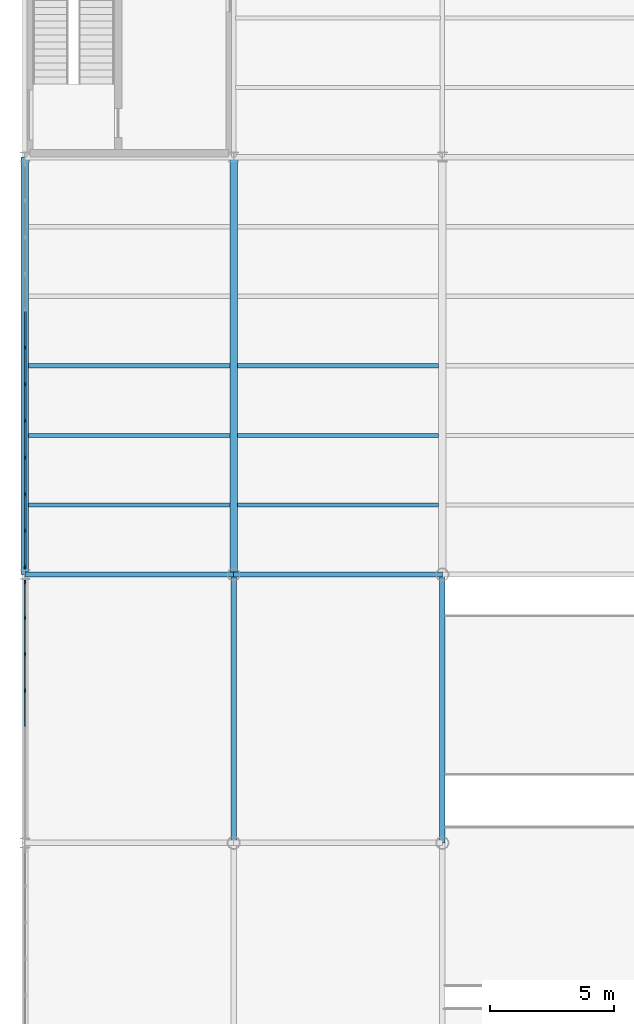
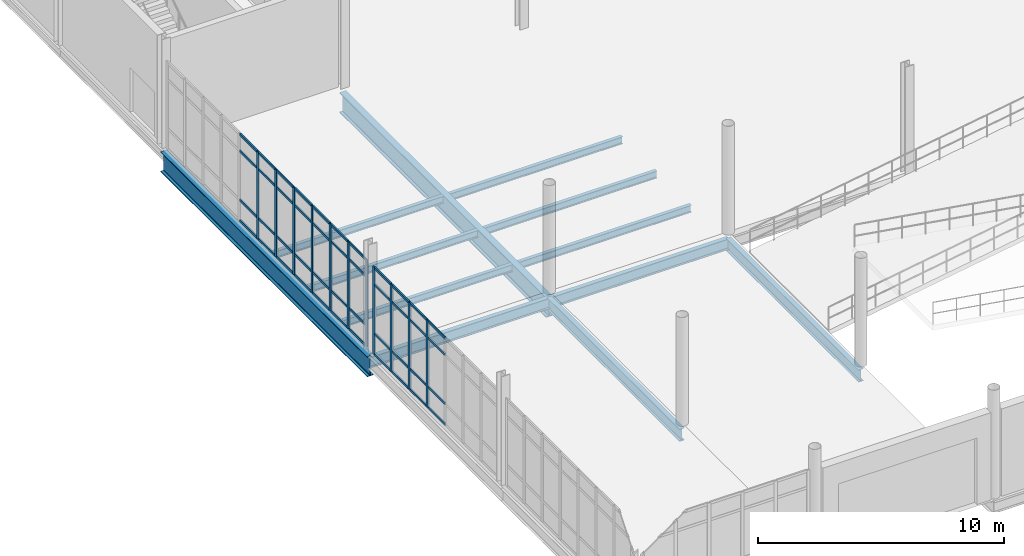
# One storey, part 23 of 111: 55 members, 12 beams, 2 elements without a shape of their own.
"""IFC4 building model written with IfcOpenShell, lengths in metres."""

from ifc_helpers import new_model, si_unit, direction, frame, origin, origin_2d, place, context, subcontext, project, spatial, rectangle, i_section, extrude, material, layer, layer_set, material_profile, profile_set, type_object, element, aggregate, save


model = new_model("IFC4")

# Units and contexts
model_context = context("Model", 3, precision=1e-05, world=origin(), true_north=direction((0.0, 1.0)))
body_context = subcontext(model_context, "Body", "Model", "MODEL_VIEW")
ifc_project = project(units=[si_unit("LENGTHUNIT", "METRE"), si_unit("AREAUNIT", "SQUARE_METRE"), si_unit("VOLUMEUNIT", "CUBIC_METRE"), si_unit("PLANEANGLEUNIT", "RADIAN"), si_unit("MASSUNIT", "GRAM", prefix="KILO"), si_unit("THERMODYNAMICTEMPERATUREUNIT", "KELVIN"), si_unit("POWERUNIT", "WATT")], contexts=[model_context])

# Site, building, storey
site_placement = place(None, origin())
site = spatial("IfcSite", under=ifc_project, at=site_placement, CompositionType="ELEMENT")
building_placement = place(site_placement, origin())
building = spatial("IfcBuilding", under=site, at=building_placement, Name="Tembeka Court Mobility Hub", CompositionType="ELEMENT")
storey_placement = place(building_placement, origin())
storey = spatial("IfcBuildingStorey", under=building, at=storey_placement, Name="L00", CompositionType="ELEMENT", Elevation=0.0)

# Beams
ifc_material_1 = material(Name="Steel S355", Category="steel")
ifc_material_profile_1 = material_profile(ifc_material_1, i_section(OverallWidth=0.22900390625, OverallDepth=0.612060546875, WebThickness=0.011962890625, FlangeThickness=0.01953125, FilletRadius=0.0126953125, at=origin_2d()), Name="UKB 610x229x125")
ifc_profile_set_1 = profile_set([ifc_material_profile_1], Name="Steel S355")
beam_type_1 = type_object("IfcBeamType", Name="BM-G02", PredefinedType="USERDEFINED", material=ifc_profile_set_1)
for number, where, z_axis, x_axis, name in (
    (1, (8.39990234375, 10.800048828125, -0.5859375), (0.0, 1.0, 0.0), (-1.0, 0.0, 0.0), "Beam G02 (BM-L00-Y0176)"),
    (2, (16.800048828125, 10.800048828125, -0.5859375), (0.0, 1.0, 0.0), (-1.0, 0.0, 0.0), "Beam G02 (BM-L00-Y0187)"),
):
    element("IfcBeam", number, at=place(storey_placement, frame(where, z_axis=z_axis, x_axis=x_axis)), inside=storey, type_object=beam_type_1, Name=name, ObjectType="GIRDER", PredefinedType="USERDEFINED", context=body_context, shape_type="SweptSolid", body=[
        extrude(i_section(OverallWidth=0.22900390625, OverallDepth=0.612060546875, WebThickness=0.011962890625, FlangeThickness=0.01953125, FilletRadius=0.0126953125, at=origin_2d()), origin(), (0.0, 0.0, 1.0), 10.800048828125),
    ])
ifc_material_profile_2 = material_profile(ifc_material_1, i_section(OverallWidth=0.2099609375, OverallDepth=0.537109375, WebThickness=0.0107421875, FlangeThickness=0.017333984375, FilletRadius=0.0126953125, at=origin_2d()), Name="UKB 533x210x101")
ifc_profile_set_2 = profile_set([ifc_material_profile_2], Name="Steel S355")
beam_type_2 = type_object("IfcBeamType", Name="BM-G03", PredefinedType="USERDEFINED", material=ifc_profile_set_2)
beam_1_placement = place(storey_placement, frame((0.0, 21.60009765625, -0.548583984375), z_axis=(1.0, 0.0, 0.0), x_axis=(0.0, 1.0, 0.0)))
element("IfcBeam", 3, at=beam_1_placement, inside=storey, type_object=beam_type_2, Name="Beam G03 (BM-L00-X0024)", ObjectType="GIRDER", PredefinedType="USERDEFINED", context=body_context, shape_type="SweptSolid", body=[
    extrude(i_section(OverallWidth=0.2099609375, OverallDepth=0.537109375, WebThickness=0.0107421875, FlangeThickness=0.017333984375, FilletRadius=0.0126953125, at=origin_2d()), origin(), (0.0, 0.0, 1.0), 8.39990234375),
])
beam_2_placement = place(storey_placement, frame((8.39990234375, 21.60009765625, -0.548583984375), z_axis=(1.0, 0.0, 0.0), x_axis=(0.0, 1.0, 0.0)))
element("IfcBeam", 4, at=beam_2_placement, inside=storey, type_object=beam_type_2, Name="Beam G03 (BM-L00-X0025)", ObjectType="GIRDER", PredefinedType="USERDEFINED", context=body_context, shape_type="SweptSolid", body=[
    extrude(i_section(OverallWidth=0.2099609375, OverallDepth=0.537109375, WebThickness=0.0107421875, FlangeThickness=0.017333984375, FilletRadius=0.0126953125, at=origin_2d()), origin(), (0.0, 0.0, 1.0), 8.400146484375),
])
ifc_material_profile_3 = material_profile(ifc_material_1, i_section(OverallWidth=0.172119140625, OverallDepth=0.35498046875, WebThickness=0.00732421875, FlangeThickness=0.011474609375, FilletRadius=0.01025390625, at=origin_2d()), Name="UKB 356x171x51")
ifc_profile_set_3 = profile_set([ifc_material_profile_3], Name="Steel S355")
beam_type_3 = type_object("IfcBeamType", Name="BM-J01", PredefinedType="JOIST", material=ifc_profile_set_3)
for number, where, z_axis, x_axis, name in (
    (5, (0.14501953125, 24.39990234375, -0.45751953125), (1.0, 0.0, 0.0), (0.0, 1.0, 0.0), "Beam J01 (JST-L00-0326)"),
    (6, (0.14501953125, 27.199951171875, -0.45751953125), (1.0, 0.0, 0.0), (0.0, 1.0, 0.0), "Beam J01 (JST-L00-0327)"),
    (7, (0.14501953125, 30.0, -0.45751953125), (1.0, 0.0, 0.0), (0.0, 1.0, 0.0), "Beam J01 (JST-L00-0328)"),
):
    element("IfcBeam", number, at=place(storey_placement, frame(where, z_axis=z_axis, x_axis=x_axis)), inside=storey, type_object=beam_type_3, Name=name, PredefinedType="JOIST", context=body_context, shape_type="SweptSolid", body=[
        extrude(i_section(OverallWidth=0.172119140625, OverallDepth=0.35498046875, WebThickness=0.00732421875, FlangeThickness=0.011474609375, FilletRadius=0.01025390625, at=origin_2d()), origin(), (0.0, 0.0, 1.0), 8.10986328125),
    ])
for number, where, z_axis, x_axis, name in (
    (8, (8.544921875, 24.39990234375, -0.45751953125), (1.0, 0.0, 0.0), (0.0, 1.0, 0.0), "Beam J01 (JST-L00-0338)"),
    (9, (8.544921875, 27.199951171875, -0.45751953125), (1.0, 0.0, 0.0), (0.0, 1.0, 0.0), "Beam J01 (JST-L00-0339)"),
    (10, (8.544921875, 30.0, -0.45751953125), (1.0, 0.0, 0.0), (0.0, 1.0, 0.0), "Beam J01 (JST-L00-0340)"),
):
    element("IfcBeam", number, at=place(storey_placement, frame(where, z_axis=z_axis, x_axis=x_axis)), inside=storey, type_object=beam_type_3, Name=name, PredefinedType="JOIST", context=body_context, shape_type="SweptSolid", body=[
        extrude(i_section(OverallWidth=0.172119140625, OverallDepth=0.35498046875, WebThickness=0.00732421875, FlangeThickness=0.011474609375, FilletRadius=0.01025390625, at=origin_2d()), origin(), (0.0, 0.0, 1.0), 8.110107421875),
    ])
ifc_material_profile_4 = material_profile(ifc_material_1, i_section(OverallWidth=0.300048828125, OverallDepth=1.0, WebThickness=0.01904296875, FlangeThickness=0.035888671875, FilletRadius=0.030029296875, at=origin_2d()), Name="HEB 1000")
ifc_profile_set_4 = profile_set([ifc_material_profile_4], Name="Steel S355")
beam_type_4 = type_object("IfcBeamType", Name="BM-TG01", PredefinedType="USERDEFINED", material=ifc_profile_set_4)
for number, where, z_axis, x_axis, name in (
    (11, (0.0, 21.60009765625, -0.780029296875), (0.0, 1.0, 0.0), (-1.0, 0.0, 0.0), "Beam TG01 (BM-L00-Y0166)"),
    (12, (8.39990234375, 21.60009765625, -0.780029296875), (0.0, 1.0, 0.0), (-1.0, 0.0, 0.0), "Beam TG01 (BM-L00-Y0177)"),
):
    element("IfcBeam", number, at=place(storey_placement, frame(where, z_axis=z_axis, x_axis=x_axis)), inside=storey, type_object=beam_type_4, Name=name, ObjectType="GIRDER", PredefinedType="USERDEFINED", context=body_context, shape_type="SweptSolid", body=[
        extrude(i_section(OverallWidth=0.300048828125, OverallDepth=1.0, WebThickness=0.01904296875, FlangeThickness=0.035888671875, FilletRadius=0.030029296875, at=origin_2d()), origin(), (0.0, 0.0, 1.0), 16.7998046875),
    ])

# Curtain wall, members
ifc_material_2 = material(Name="Anodised aluminium 6063-T6", Category="aluminium")
ifc_layer_1 = layer(ifc_material_2, 0.159912109375)
ifc_layer_set_1 = layer_set([ifc_layer_1], Name="Anodised aluminium 6063-T6")
curtain_wall_type_1 = type_object("IfcCurtainWallType", Name="CW-SYS18", PredefinedType="USERDEFINED", material=ifc_layer_set_1)
curtain_wall_1_placement = place(storey_placement, origin())
curtain_wall_1 = element("IfcCurtainWall", 13, at=curtain_wall_1_placement, inside=storey, type_object=curtain_wall_type_1, Name="Unitised curtain wall CW18 (CW-L00-024)", ObjectType="UNITISED GLAZING", PredefinedType="USERDEFINED")
ifc_material_profile_5 = material_profile(ifc_material_2, rectangle(XDim=0.06494140625, YDim=0.159912109375, at=origin_2d()), Name="ALU-MUL 65x160")
ifc_profile_set_5 = profile_set([ifc_material_profile_5], Name="Anodised aluminium 6063-T6")
member_type_1 = type_object("IfcMemberType", Name="CW-MUL01", PredefinedType="MULLION", material=ifc_profile_set_5)
member_1_placement = place(storey_placement, frame((0.0, 16.931396484375, 0.0), z_axis=(0.0, 0.0, 1.0), x_axis=(-1.0, 0.0, 0.0)))
member_1 = element("IfcMember", 14, at=member_1_placement, type_object=member_type_1, Name="CW18 mullion 5", PredefinedType="MULLION", context=body_context, shape_type="SweptSolid", body=[
    extrude(rectangle(XDim=0.06494140625, YDim=0.159912109375, at=origin_2d()), origin(), (0.0, 0.0, 1.0), 4.3349609375),
])
member_2_placement = place(storey_placement, frame((0.0, 18.394287109375, 0.0), z_axis=(0.0, 0.0, 1.0), x_axis=(-1.0, 0.0, 0.0)))
member_2 = element("IfcMember", 15, at=member_2_placement, type_object=member_type_1, Name="CW18 mullion 6", PredefinedType="MULLION", context=body_context, shape_type="SweptSolid", body=[
    extrude(rectangle(XDim=0.06494140625, YDim=0.159912109375, at=origin_2d()), origin(), (0.0, 0.0, 1.0), 4.3349609375),
])
member_3_placement = place(storey_placement, frame((0.0, 19.857177734375, 0.0), z_axis=(0.0, 0.0, 1.0), x_axis=(-1.0, 0.0, 0.0)))
member_3 = element("IfcMember", 16, at=member_3_placement, type_object=member_type_1, Name="CW18 mullion 7", PredefinedType="MULLION", context=body_context, shape_type="SweptSolid", body=[
    extrude(rectangle(XDim=0.06494140625, YDim=0.159912109375, at=origin_2d()), origin(), (0.0, 0.0, 1.0), 4.3349609375),
])
member_4_placement = place(storey_placement, frame((0.0, 21.28759765625, 0.0), z_axis=(0.0, 0.0, 1.0), x_axis=(-1.0, 0.0, 0.0)))
member_4 = element("IfcMember", 17, at=member_4_placement, type_object=member_type_1, Name="CW18 mullion 8", PredefinedType="MULLION", context=body_context, shape_type="SweptSolid", body=[
    extrude(rectangle(XDim=0.06494140625, YDim=0.159912109375, at=origin_2d()), origin(), (0.0, 0.0, 1.0), 4.3349609375),
])

ifc_layer_2 = layer(ifc_material_2, 0.159912109375)
ifc_layer_set_2 = layer_set([ifc_layer_2], Name="Anodised aluminium 6063-T6")
curtain_wall_type_2 = type_object("IfcCurtainWallType", Name="CW-SYS19", PredefinedType="USERDEFINED", material=ifc_layer_set_2)
curtain_wall_2_placement = place(storey_placement, origin())
curtain_wall_2 = element("IfcCurtainWall", 18, at=curtain_wall_2_placement, inside=storey, type_object=curtain_wall_type_2, Name="Unitised curtain wall CW19 (CW-L00-026)", ObjectType="UNITISED GLAZING", PredefinedType="USERDEFINED")
member_5_placement = place(storey_placement, frame((0.0, 21.91259765625, 0.0), z_axis=(0.0, 0.0, 1.0), x_axis=(-1.0, 0.0, 0.0)))
member_5 = element("IfcMember", 19, at=member_5_placement, type_object=member_type_1, Name="CW19 mullion 1", PredefinedType="MULLION", context=body_context, shape_type="SweptSolid", body=[
    extrude(rectangle(XDim=0.06494140625, YDim=0.159912109375, at=origin_2d()), origin(), (0.0, 0.0, 1.0), 4.3349609375),
])
member_6_placement = place(storey_placement, frame((0.0, 23.3564453125, 0.0), z_axis=(0.0, 0.0, 1.0), x_axis=(-1.0, 0.0, 0.0)))
member_6 = element("IfcMember", 20, at=member_6_placement, type_object=member_type_1, Name="CW19 mullion 2", PredefinedType="MULLION", context=body_context, shape_type="SweptSolid", body=[
    extrude(rectangle(XDim=0.06494140625, YDim=0.159912109375, at=origin_2d()), origin(), (0.0, 0.0, 1.0), 4.3349609375),
])
member_7_placement = place(storey_placement, frame((0.0, 24.832763671875, 0.0), z_axis=(0.0, 0.0, 1.0), x_axis=(-1.0, 0.0, 0.0)))
member_7 = element("IfcMember", 21, at=member_7_placement, type_object=member_type_1, Name="CW19 mullion 3", PredefinedType="MULLION", context=body_context, shape_type="SweptSolid", body=[
    extrude(rectangle(XDim=0.06494140625, YDim=0.159912109375, at=origin_2d()), origin(), (0.0, 0.0, 1.0), 4.3349609375),
])
member_8_placement = place(storey_placement, frame((0.0, 26.30908203125, 0.0), z_axis=(0.0, 0.0, 1.0), x_axis=(-1.0, 0.0, 0.0)))
member_8 = element("IfcMember", 22, at=member_8_placement, type_object=member_type_1, Name="CW19 mullion 4", PredefinedType="MULLION", context=body_context, shape_type="SweptSolid", body=[
    extrude(rectangle(XDim=0.06494140625, YDim=0.159912109375, at=origin_2d()), origin(), (0.0, 0.0, 1.0), 4.3349609375),
])
member_9_placement = place(storey_placement, frame((0.0, 27.785400390625, 0.0), z_axis=(0.0, 0.0, 1.0), x_axis=(-1.0, 0.0, 0.0)))
member_9 = element("IfcMember", 23, at=member_9_placement, type_object=member_type_1, Name="CW19 mullion 5", PredefinedType="MULLION", context=body_context, shape_type="SweptSolid", body=[
    extrude(rectangle(XDim=0.06494140625, YDim=0.159912109375, at=origin_2d()), origin(), (0.0, 0.0, 1.0), 4.3349609375),
])
member_10_placement = place(storey_placement, frame((0.0, 29.26171875, 0.0), z_axis=(0.0, 0.0, 1.0), x_axis=(-1.0, 0.0, 0.0)))
member_10 = element("IfcMember", 24, at=member_10_placement, type_object=member_type_1, Name="CW19 mullion 6", PredefinedType="MULLION", context=body_context, shape_type="SweptSolid", body=[
    extrude(rectangle(XDim=0.06494140625, YDim=0.159912109375, at=origin_2d()), origin(), (0.0, 0.0, 1.0), 4.3349609375),
])
member_11_placement = place(storey_placement, frame((0.0, 30.73828125, 0.0), z_axis=(0.0, 0.0, 1.0), x_axis=(-1.0, 0.0, 0.0)))
member_11 = element("IfcMember", 25, at=member_11_placement, type_object=member_type_1, Name="CW19 mullion 7", PredefinedType="MULLION", context=body_context, shape_type="SweptSolid", body=[
    extrude(rectangle(XDim=0.06494140625, YDim=0.159912109375, at=origin_2d()), origin(), (0.0, 0.0, 1.0), 4.3349609375),
])

# Member
ifc_material_profile_6 = material_profile(ifc_material_2, rectangle(XDim=0.06494140625, YDim=0.1201171875, at=origin_2d()), Name="ALU-TRN 65x120")
ifc_profile_set_6 = profile_set([ifc_material_profile_6], Name="Anodised aluminium 6063-T6")
member_type_2 = type_object("IfcMemberType", Name="CW-TRN01", PredefinedType="USERDEFINED", material=ifc_profile_set_6)
member_12_placement = place(storey_placement, frame((0.0, 15.5009765625, 0.032470703125), z_axis=(0.0, 1.0, 0.0), x_axis=(-1.0, 0.0, 0.0)))
member_12 = element("IfcMember", 26, at=member_12_placement, type_object=member_type_2, Name="CW18 transom 4.1", ObjectType="TRANSOM", PredefinedType="USERDEFINED", context=body_context, shape_type="SweptSolid", body=[
    extrude(rectangle(XDim=0.06494140625, YDim=0.1201171875, at=origin_2d()), origin(), (0.0, 0.0, 1.0), 1.39794921875),
])

member_13_placement = place(storey_placement, frame((0.0, 15.5009765625, 1.050048828125), z_axis=(0.0, 1.0, 0.0), x_axis=(-1.0, 0.0, 0.0)))
member_13 = element("IfcMember", 27, at=member_13_placement, type_object=member_type_2, Name="CW18 transom 4.2", ObjectType="TRANSOM", PredefinedType="USERDEFINED", context=body_context, shape_type="SweptSolid", body=[
    extrude(rectangle(XDim=0.06494140625, YDim=0.1201171875, at=origin_2d()), origin(), (0.0, 0.0, 1.0), 1.39794921875),
])

member_14_placement = place(storey_placement, frame((0.0, 15.5009765625, 3.485107421875), z_axis=(0.0, 1.0, 0.0), x_axis=(-1.0, 0.0, 0.0)))
member_14 = element("IfcMember", 28, at=member_14_placement, type_object=member_type_2, Name="CW18 transom 4.3", ObjectType="TRANSOM", PredefinedType="USERDEFINED", context=body_context, shape_type="SweptSolid", body=[
    extrude(rectangle(XDim=0.06494140625, YDim=0.1201171875, at=origin_2d()), origin(), (0.0, 0.0, 1.0), 1.39794921875),
])

member_15_placement = place(storey_placement, frame((0.0, 15.5009765625, 4.302490234375), z_axis=(0.0, 1.0, 0.0), x_axis=(-1.0, 0.0, 0.0)))
member_15 = element("IfcMember", 29, at=member_15_placement, type_object=member_type_2, Name="CW18 transom 4.4", ObjectType="TRANSOM", PredefinedType="USERDEFINED", context=body_context, shape_type="SweptSolid", body=[
    extrude(rectangle(XDim=0.06494140625, YDim=0.1201171875, at=origin_2d()), origin(), (0.0, 0.0, 1.0), 1.39794921875),
])

member_16_placement = place(storey_placement, frame((0.0, 16.9638671875, 0.032470703125), z_axis=(0.0, 1.0, 0.0), x_axis=(-1.0, 0.0, 0.0)))
member_16 = element("IfcMember", 30, at=member_16_placement, type_object=member_type_2, Name="CW18 transom 5.1", ObjectType="TRANSOM", PredefinedType="USERDEFINED", context=body_context, shape_type="SweptSolid", body=[
    extrude(rectangle(XDim=0.06494140625, YDim=0.1201171875, at=origin_2d()), origin(), (0.0, 0.0, 1.0), 1.39794921875),
])

member_17_placement = place(storey_placement, frame((0.0, 16.9638671875, 1.050048828125), z_axis=(0.0, 1.0, 0.0), x_axis=(-1.0, 0.0, 0.0)))
member_17 = element("IfcMember", 31, at=member_17_placement, type_object=member_type_2, Name="CW18 transom 5.2", ObjectType="TRANSOM", PredefinedType="USERDEFINED", context=body_context, shape_type="SweptSolid", body=[
    extrude(rectangle(XDim=0.06494140625, YDim=0.1201171875, at=origin_2d()), origin(), (0.0, 0.0, 1.0), 1.39794921875),
])

member_18_placement = place(storey_placement, frame((0.0, 16.9638671875, 3.485107421875), z_axis=(0.0, 1.0, 0.0), x_axis=(-1.0, 0.0, 0.0)))
member_18 = element("IfcMember", 32, at=member_18_placement, type_object=member_type_2, Name="CW18 transom 5.3", ObjectType="TRANSOM", PredefinedType="USERDEFINED", context=body_context, shape_type="SweptSolid", body=[
    extrude(rectangle(XDim=0.06494140625, YDim=0.1201171875, at=origin_2d()), origin(), (0.0, 0.0, 1.0), 1.39794921875),
])

member_19_placement = place(storey_placement, frame((0.0, 16.9638671875, 4.302490234375), z_axis=(0.0, 1.0, 0.0), x_axis=(-1.0, 0.0, 0.0)))
member_19 = element("IfcMember", 33, at=member_19_placement, type_object=member_type_2, Name="CW18 transom 5.4", ObjectType="TRANSOM", PredefinedType="USERDEFINED", context=body_context, shape_type="SweptSolid", body=[
    extrude(rectangle(XDim=0.06494140625, YDim=0.1201171875, at=origin_2d()), origin(), (0.0, 0.0, 1.0), 1.39794921875),
])

member_20_placement = place(storey_placement, frame((0.0, 18.4267578125, 0.032470703125), z_axis=(0.0, 1.0, 0.0), x_axis=(-1.0, 0.0, 0.0)))
member_20 = element("IfcMember", 34, at=member_20_placement, type_object=member_type_2, Name="CW18 transom 6.1", ObjectType="TRANSOM", PredefinedType="USERDEFINED", context=body_context, shape_type="SweptSolid", body=[
    extrude(rectangle(XDim=0.06494140625, YDim=0.1201171875, at=origin_2d()), origin(), (0.0, 0.0, 1.0), 1.39794921875),
])

member_21_placement = place(storey_placement, frame((0.0, 18.4267578125, 1.050048828125), z_axis=(0.0, 1.0, 0.0), x_axis=(-1.0, 0.0, 0.0)))
member_21 = element("IfcMember", 35, at=member_21_placement, type_object=member_type_2, Name="CW18 transom 6.2", ObjectType="TRANSOM", PredefinedType="USERDEFINED", context=body_context, shape_type="SweptSolid", body=[
    extrude(rectangle(XDim=0.06494140625, YDim=0.1201171875, at=origin_2d()), origin(), (0.0, 0.0, 1.0), 1.39794921875),
])

member_22_placement = place(storey_placement, frame((0.0, 18.4267578125, 3.485107421875), z_axis=(0.0, 1.0, 0.0), x_axis=(-1.0, 0.0, 0.0)))
member_22 = element("IfcMember", 36, at=member_22_placement, type_object=member_type_2, Name="CW18 transom 6.3", ObjectType="TRANSOM", PredefinedType="USERDEFINED", context=body_context, shape_type="SweptSolid", body=[
    extrude(rectangle(XDim=0.06494140625, YDim=0.1201171875, at=origin_2d()), origin(), (0.0, 0.0, 1.0), 1.39794921875),
])

member_23_placement = place(storey_placement, frame((0.0, 18.4267578125, 4.302490234375), z_axis=(0.0, 1.0, 0.0), x_axis=(-1.0, 0.0, 0.0)))
member_23 = element("IfcMember", 37, at=member_23_placement, type_object=member_type_2, Name="CW18 transom 6.4", ObjectType="TRANSOM", PredefinedType="USERDEFINED", context=body_context, shape_type="SweptSolid", body=[
    extrude(rectangle(XDim=0.06494140625, YDim=0.1201171875, at=origin_2d()), origin(), (0.0, 0.0, 1.0), 1.39794921875),
])

member_24_placement = place(storey_placement, frame((0.0, 19.8896484375, 0.032470703125), z_axis=(0.0, 1.0, 0.0), x_axis=(-1.0, 0.0, 0.0)))
member_24 = element("IfcMember", 38, at=member_24_placement, type_object=member_type_2, Name="CW18 transom 7.1", ObjectType="TRANSOM", PredefinedType="USERDEFINED", context=body_context, shape_type="SweptSolid", body=[
    extrude(rectangle(XDim=0.06494140625, YDim=0.1201171875, at=origin_2d()), origin(), (0.0, 0.0, 1.0), 1.365234375),
])

member_25_placement = place(storey_placement, frame((0.0, 19.8896484375, 1.050048828125), z_axis=(0.0, 1.0, 0.0), x_axis=(-1.0, 0.0, 0.0)))
member_25 = element("IfcMember", 39, at=member_25_placement, type_object=member_type_2, Name="CW18 transom 7.2", ObjectType="TRANSOM", PredefinedType="USERDEFINED", context=body_context, shape_type="SweptSolid", body=[
    extrude(rectangle(XDim=0.06494140625, YDim=0.1201171875, at=origin_2d()), origin(), (0.0, 0.0, 1.0), 1.365234375),
])

member_26_placement = place(storey_placement, frame((0.0, 19.8896484375, 3.485107421875), z_axis=(0.0, 1.0, 0.0), x_axis=(-1.0, 0.0, 0.0)))
member_26 = element("IfcMember", 40, at=member_26_placement, type_object=member_type_2, Name="CW18 transom 7.3", ObjectType="TRANSOM", PredefinedType="USERDEFINED", context=body_context, shape_type="SweptSolid", body=[
    extrude(rectangle(XDim=0.06494140625, YDim=0.1201171875, at=origin_2d()), origin(), (0.0, 0.0, 1.0), 1.365234375),
])

member_27_placement = place(storey_placement, frame((0.0, 19.8896484375, 4.302490234375), z_axis=(0.0, 1.0, 0.0), x_axis=(-1.0, 0.0, 0.0)))
member_27 = element("IfcMember", 41, at=member_27_placement, type_object=member_type_2, Name="CW18 transom 7.4", ObjectType="TRANSOM", PredefinedType="USERDEFINED", context=body_context, shape_type="SweptSolid", body=[
    extrude(rectangle(XDim=0.06494140625, YDim=0.1201171875, at=origin_2d()), origin(), (0.0, 0.0, 1.0), 1.365234375),
])

aggregate(curtain_wall_1, [member_1, member_2, member_3, member_4, member_12, member_13, member_14, member_15, member_16, member_17, member_18, member_19, member_20, member_21, member_22, member_23, member_24, member_25, member_26, member_27])

member_28_placement = place(storey_placement, frame((0.0, 21.945068359375, 0.032470703125), z_axis=(0.0, 1.0, 0.0), x_axis=(-1.0, 0.0, 0.0)))
member_28 = element("IfcMember", 42, at=member_28_placement, type_object=member_type_2, Name="CW19 transom 1.1", ObjectType="TRANSOM", PredefinedType="USERDEFINED", context=body_context, shape_type="SweptSolid", body=[
    extrude(rectangle(XDim=0.06494140625, YDim=0.1201171875, at=origin_2d()), origin(), (0.0, 0.0, 1.0), 1.37890625),
])

member_29_placement = place(storey_placement, frame((0.0, 21.945068359375, 1.050048828125), z_axis=(0.0, 1.0, 0.0), x_axis=(-1.0, 0.0, 0.0)))
member_29 = element("IfcMember", 43, at=member_29_placement, type_object=member_type_2, Name="CW19 transom 1.2", ObjectType="TRANSOM", PredefinedType="USERDEFINED", context=body_context, shape_type="SweptSolid", body=[
    extrude(rectangle(XDim=0.06494140625, YDim=0.1201171875, at=origin_2d()), origin(), (0.0, 0.0, 1.0), 1.37890625),
])

member_30_placement = place(storey_placement, frame((0.0, 21.945068359375, 3.485107421875), z_axis=(0.0, 1.0, 0.0), x_axis=(-1.0, 0.0, 0.0)))
member_30 = element("IfcMember", 44, at=member_30_placement, type_object=member_type_2, Name="CW19 transom 1.3", ObjectType="TRANSOM", PredefinedType="USERDEFINED", context=body_context, shape_type="SweptSolid", body=[
    extrude(rectangle(XDim=0.06494140625, YDim=0.1201171875, at=origin_2d()), origin(), (0.0, 0.0, 1.0), 1.37890625),
])

member_31_placement = place(storey_placement, frame((0.0, 21.945068359375, 4.302490234375), z_axis=(0.0, 1.0, 0.0), x_axis=(-1.0, 0.0, 0.0)))
member_31 = element("IfcMember", 45, at=member_31_placement, type_object=member_type_2, Name="CW19 transom 1.4", ObjectType="TRANSOM", PredefinedType="USERDEFINED", context=body_context, shape_type="SweptSolid", body=[
    extrude(rectangle(XDim=0.06494140625, YDim=0.1201171875, at=origin_2d()), origin(), (0.0, 0.0, 1.0), 1.37890625),
])

member_32_placement = place(storey_placement, frame((0.0, 23.388916015625, 0.032470703125), z_axis=(0.0, 1.0, 0.0), x_axis=(-1.0, 0.0, 0.0)))
member_32 = element("IfcMember", 46, at=member_32_placement, type_object=member_type_2, Name="CW19 transom 2.1", ObjectType="TRANSOM", PredefinedType="USERDEFINED", context=body_context, shape_type="SweptSolid", body=[
    extrude(rectangle(XDim=0.06494140625, YDim=0.1201171875, at=origin_2d()), origin(), (0.0, 0.0, 1.0), 1.411376953125),
])

member_33_placement = place(storey_placement, frame((0.0, 23.388916015625, 1.050048828125), z_axis=(0.0, 1.0, 0.0), x_axis=(-1.0, 0.0, 0.0)))
member_33 = element("IfcMember", 47, at=member_33_placement, type_object=member_type_2, Name="CW19 transom 2.2", ObjectType="TRANSOM", PredefinedType="USERDEFINED", context=body_context, shape_type="SweptSolid", body=[
    extrude(rectangle(XDim=0.06494140625, YDim=0.1201171875, at=origin_2d()), origin(), (0.0, 0.0, 1.0), 1.411376953125),
])

member_34_placement = place(storey_placement, frame((0.0, 23.388916015625, 3.485107421875), z_axis=(0.0, 1.0, 0.0), x_axis=(-1.0, 0.0, 0.0)))
member_34 = element("IfcMember", 48, at=member_34_placement, type_object=member_type_2, Name="CW19 transom 2.3", ObjectType="TRANSOM", PredefinedType="USERDEFINED", context=body_context, shape_type="SweptSolid", body=[
    extrude(rectangle(XDim=0.06494140625, YDim=0.1201171875, at=origin_2d()), origin(), (0.0, 0.0, 1.0), 1.411376953125),
])

member_35_placement = place(storey_placement, frame((0.0, 23.388916015625, 4.302490234375), z_axis=(0.0, 1.0, 0.0), x_axis=(-1.0, 0.0, 0.0)))
member_35 = element("IfcMember", 49, at=member_35_placement, type_object=member_type_2, Name="CW19 transom 2.4", ObjectType="TRANSOM", PredefinedType="USERDEFINED", context=body_context, shape_type="SweptSolid", body=[
    extrude(rectangle(XDim=0.06494140625, YDim=0.1201171875, at=origin_2d()), origin(), (0.0, 0.0, 1.0), 1.411376953125),
])

member_36_placement = place(storey_placement, frame((0.0, 24.865234375, 0.032470703125), z_axis=(0.0, 1.0, 0.0), x_axis=(-1.0, 0.0, 0.0)))
member_36 = element("IfcMember", 50, at=member_36_placement, type_object=member_type_2, Name="CW19 transom 3.1", ObjectType="TRANSOM", PredefinedType="USERDEFINED", context=body_context, shape_type="SweptSolid", body=[
    extrude(rectangle(XDim=0.06494140625, YDim=0.1201171875, at=origin_2d()), origin(), (0.0, 0.0, 1.0), 1.411376953125),
])

member_37_placement = place(storey_placement, frame((0.0, 24.865234375, 1.050048828125), z_axis=(0.0, 1.0, 0.0), x_axis=(-1.0, 0.0, 0.0)))
member_37 = element("IfcMember", 51, at=member_37_placement, type_object=member_type_2, Name="CW19 transom 3.2", ObjectType="TRANSOM", PredefinedType="USERDEFINED", context=body_context, shape_type="SweptSolid", body=[
    extrude(rectangle(XDim=0.06494140625, YDim=0.1201171875, at=origin_2d()), origin(), (0.0, 0.0, 1.0), 1.411376953125),
])

member_38_placement = place(storey_placement, frame((0.0, 24.865234375, 3.485107421875), z_axis=(0.0, 1.0, 0.0), x_axis=(-1.0, 0.0, 0.0)))
member_38 = element("IfcMember", 52, at=member_38_placement, type_object=member_type_2, Name="CW19 transom 3.3", ObjectType="TRANSOM", PredefinedType="USERDEFINED", context=body_context, shape_type="SweptSolid", body=[
    extrude(rectangle(XDim=0.06494140625, YDim=0.1201171875, at=origin_2d()), origin(), (0.0, 0.0, 1.0), 1.411376953125),
])

member_39_placement = place(storey_placement, frame((0.0, 24.865234375, 4.302490234375), z_axis=(0.0, 1.0, 0.0), x_axis=(-1.0, 0.0, 0.0)))
member_39 = element("IfcMember", 53, at=member_39_placement, type_object=member_type_2, Name="CW19 transom 3.4", ObjectType="TRANSOM", PredefinedType="USERDEFINED", context=body_context, shape_type="SweptSolid", body=[
    extrude(rectangle(XDim=0.06494140625, YDim=0.1201171875, at=origin_2d()), origin(), (0.0, 0.0, 1.0), 1.411376953125),
])

member_40_placement = place(storey_placement, frame((0.0, 26.341552734375, 0.032470703125), z_axis=(0.0, 1.0, 0.0), x_axis=(-1.0, 0.0, 0.0)))
member_40 = element("IfcMember", 54, at=member_40_placement, type_object=member_type_2, Name="CW19 transom 4.1", ObjectType="TRANSOM", PredefinedType="USERDEFINED", context=body_context, shape_type="SweptSolid", body=[
    extrude(rectangle(XDim=0.06494140625, YDim=0.1201171875, at=origin_2d()), origin(), (0.0, 0.0, 1.0), 1.411376953125),
])

member_41_placement = place(storey_placement, frame((0.0, 26.341552734375, 1.050048828125), z_axis=(0.0, 1.0, 0.0), x_axis=(-1.0, 0.0, 0.0)))
member_41 = element("IfcMember", 55, at=member_41_placement, type_object=member_type_2, Name="CW19 transom 4.2", ObjectType="TRANSOM", PredefinedType="USERDEFINED", context=body_context, shape_type="SweptSolid", body=[
    extrude(rectangle(XDim=0.06494140625, YDim=0.1201171875, at=origin_2d()), origin(), (0.0, 0.0, 1.0), 1.411376953125),
])

member_42_placement = place(storey_placement, frame((0.0, 26.341552734375, 3.485107421875), z_axis=(0.0, 1.0, 0.0), x_axis=(-1.0, 0.0, 0.0)))
member_42 = element("IfcMember", 56, at=member_42_placement, type_object=member_type_2, Name="CW19 transom 4.3", ObjectType="TRANSOM", PredefinedType="USERDEFINED", context=body_context, shape_type="SweptSolid", body=[
    extrude(rectangle(XDim=0.06494140625, YDim=0.1201171875, at=origin_2d()), origin(), (0.0, 0.0, 1.0), 1.411376953125),
])

member_43_placement = place(storey_placement, frame((0.0, 26.341552734375, 4.302490234375), z_axis=(0.0, 1.0, 0.0), x_axis=(-1.0, 0.0, 0.0)))
member_43 = element("IfcMember", 57, at=member_43_placement, type_object=member_type_2, Name="CW19 transom 4.4", ObjectType="TRANSOM", PredefinedType="USERDEFINED", context=body_context, shape_type="SweptSolid", body=[
    extrude(rectangle(XDim=0.06494140625, YDim=0.1201171875, at=origin_2d()), origin(), (0.0, 0.0, 1.0), 1.411376953125),
])

member_44_placement = place(storey_placement, frame((0.0, 27.81787109375, 0.032470703125), z_axis=(0.0, 1.0, 0.0), x_axis=(-1.0, 0.0, 0.0)))
member_44 = element("IfcMember", 58, at=member_44_placement, type_object=member_type_2, Name="CW19 transom 5.1", ObjectType="TRANSOM", PredefinedType="USERDEFINED", context=body_context, shape_type="SweptSolid", body=[
    extrude(rectangle(XDim=0.06494140625, YDim=0.1201171875, at=origin_2d()), origin(), (0.0, 0.0, 1.0), 1.411376953125),
])

member_45_placement = place(storey_placement, frame((0.0, 27.81787109375, 1.050048828125), z_axis=(0.0, 1.0, 0.0), x_axis=(-1.0, 0.0, 0.0)))
member_45 = element("IfcMember", 59, at=member_45_placement, type_object=member_type_2, Name="CW19 transom 5.2", ObjectType="TRANSOM", PredefinedType="USERDEFINED", context=body_context, shape_type="SweptSolid", body=[
    extrude(rectangle(XDim=0.06494140625, YDim=0.1201171875, at=origin_2d()), origin(), (0.0, 0.0, 1.0), 1.411376953125),
])

member_46_placement = place(storey_placement, frame((0.0, 27.81787109375, 3.485107421875), z_axis=(0.0, 1.0, 0.0), x_axis=(-1.0, 0.0, 0.0)))
member_46 = element("IfcMember", 60, at=member_46_placement, type_object=member_type_2, Name="CW19 transom 5.3", ObjectType="TRANSOM", PredefinedType="USERDEFINED", context=body_context, shape_type="SweptSolid", body=[
    extrude(rectangle(XDim=0.06494140625, YDim=0.1201171875, at=origin_2d()), origin(), (0.0, 0.0, 1.0), 1.411376953125),
])

member_47_placement = place(storey_placement, frame((0.0, 27.81787109375, 4.302490234375), z_axis=(0.0, 1.0, 0.0), x_axis=(-1.0, 0.0, 0.0)))
member_47 = element("IfcMember", 61, at=member_47_placement, type_object=member_type_2, Name="CW19 transom 5.4", ObjectType="TRANSOM", PredefinedType="USERDEFINED", context=body_context, shape_type="SweptSolid", body=[
    extrude(rectangle(XDim=0.06494140625, YDim=0.1201171875, at=origin_2d()), origin(), (0.0, 0.0, 1.0), 1.411376953125),
])

member_48_placement = place(storey_placement, frame((0.0, 29.29443359375, 0.032470703125), z_axis=(0.0, 1.0, 0.0), x_axis=(-1.0, 0.0, 0.0)))
member_48 = element("IfcMember", 62, at=member_48_placement, type_object=member_type_2, Name="CW19 transom 6.1", ObjectType="TRANSOM", PredefinedType="USERDEFINED", context=body_context, shape_type="SweptSolid", body=[
    extrude(rectangle(XDim=0.06494140625, YDim=0.1201171875, at=origin_2d()), origin(), (0.0, 0.0, 1.0), 1.4111328125),
])

member_49_placement = place(storey_placement, frame((0.0, 29.29443359375, 1.050048828125), z_axis=(0.0, 1.0, 0.0), x_axis=(-1.0, 0.0, 0.0)))
member_49 = element("IfcMember", 63, at=member_49_placement, type_object=member_type_2, Name="CW19 transom 6.2", ObjectType="TRANSOM", PredefinedType="USERDEFINED", context=body_context, shape_type="SweptSolid", body=[
    extrude(rectangle(XDim=0.06494140625, YDim=0.1201171875, at=origin_2d()), origin(), (0.0, 0.0, 1.0), 1.4111328125),
])

member_50_placement = place(storey_placement, frame((0.0, 29.29443359375, 3.485107421875), z_axis=(0.0, 1.0, 0.0), x_axis=(-1.0, 0.0, 0.0)))
member_50 = element("IfcMember", 64, at=member_50_placement, type_object=member_type_2, Name="CW19 transom 6.3", ObjectType="TRANSOM", PredefinedType="USERDEFINED", context=body_context, shape_type="SweptSolid", body=[
    extrude(rectangle(XDim=0.06494140625, YDim=0.1201171875, at=origin_2d()), origin(), (0.0, 0.0, 1.0), 1.4111328125),
])

member_51_placement = place(storey_placement, frame((0.0, 29.29443359375, 4.302490234375), z_axis=(0.0, 1.0, 0.0), x_axis=(-1.0, 0.0, 0.0)))
member_51 = element("IfcMember", 65, at=member_51_placement, type_object=member_type_2, Name="CW19 transom 6.4", ObjectType="TRANSOM", PredefinedType="USERDEFINED", context=body_context, shape_type="SweptSolid", body=[
    extrude(rectangle(XDim=0.06494140625, YDim=0.1201171875, at=origin_2d()), origin(), (0.0, 0.0, 1.0), 1.4111328125),
])

member_52_placement = place(storey_placement, frame((0.0, 30.770751953125, 0.032470703125), z_axis=(0.0, 1.0, 0.0), x_axis=(-1.0, 0.0, 0.0)))
member_52 = element("IfcMember", 66, at=member_52_placement, type_object=member_type_2, Name="CW19 transom 7.1", ObjectType="TRANSOM", PredefinedType="USERDEFINED", context=body_context, shape_type="SweptSolid", body=[
    extrude(rectangle(XDim=0.06494140625, YDim=0.1201171875, at=origin_2d()), origin(), (0.0, 0.0, 1.0), 1.411376953125),
])

member_53_placement = place(storey_placement, frame((0.0, 30.770751953125, 1.050048828125), z_axis=(0.0, 1.0, 0.0), x_axis=(-1.0, 0.0, 0.0)))
member_53 = element("IfcMember", 67, at=member_53_placement, type_object=member_type_2, Name="CW19 transom 7.2", ObjectType="TRANSOM", PredefinedType="USERDEFINED", context=body_context, shape_type="SweptSolid", body=[
    extrude(rectangle(XDim=0.06494140625, YDim=0.1201171875, at=origin_2d()), origin(), (0.0, 0.0, 1.0), 1.411376953125),
])

member_54_placement = place(storey_placement, frame((0.0, 30.770751953125, 3.485107421875), z_axis=(0.0, 1.0, 0.0), x_axis=(-1.0, 0.0, 0.0)))
member_54 = element("IfcMember", 68, at=member_54_placement, type_object=member_type_2, Name="CW19 transom 7.3", ObjectType="TRANSOM", PredefinedType="USERDEFINED", context=body_context, shape_type="SweptSolid", body=[
    extrude(rectangle(XDim=0.06494140625, YDim=0.1201171875, at=origin_2d()), origin(), (0.0, 0.0, 1.0), 1.411376953125),
])

member_55_placement = place(storey_placement, frame((0.0, 30.770751953125, 4.302490234375), z_axis=(0.0, 1.0, 0.0), x_axis=(-1.0, 0.0, 0.0)))
member_55 = element("IfcMember", 69, at=member_55_placement, type_object=member_type_2, Name="CW19 transom 7.4", ObjectType="TRANSOM", PredefinedType="USERDEFINED", context=body_context, shape_type="SweptSolid", body=[
    extrude(rectangle(XDim=0.06494140625, YDim=0.1201171875, at=origin_2d()), origin(), (0.0, 0.0, 1.0), 1.411376953125),
])

aggregate(curtain_wall_2, [member_5, member_6, member_7, member_8, member_9, member_10, member_11, member_28, member_29, member_30, member_31, member_32, member_33, member_34, member_35, member_36, member_37, member_38, member_39, member_40, member_41, member_42, member_43, member_44, member_45, member_46, member_47, member_48, member_49, member_50, member_51, member_52, member_53, member_54, member_55])

save(model, "model.ifc")
